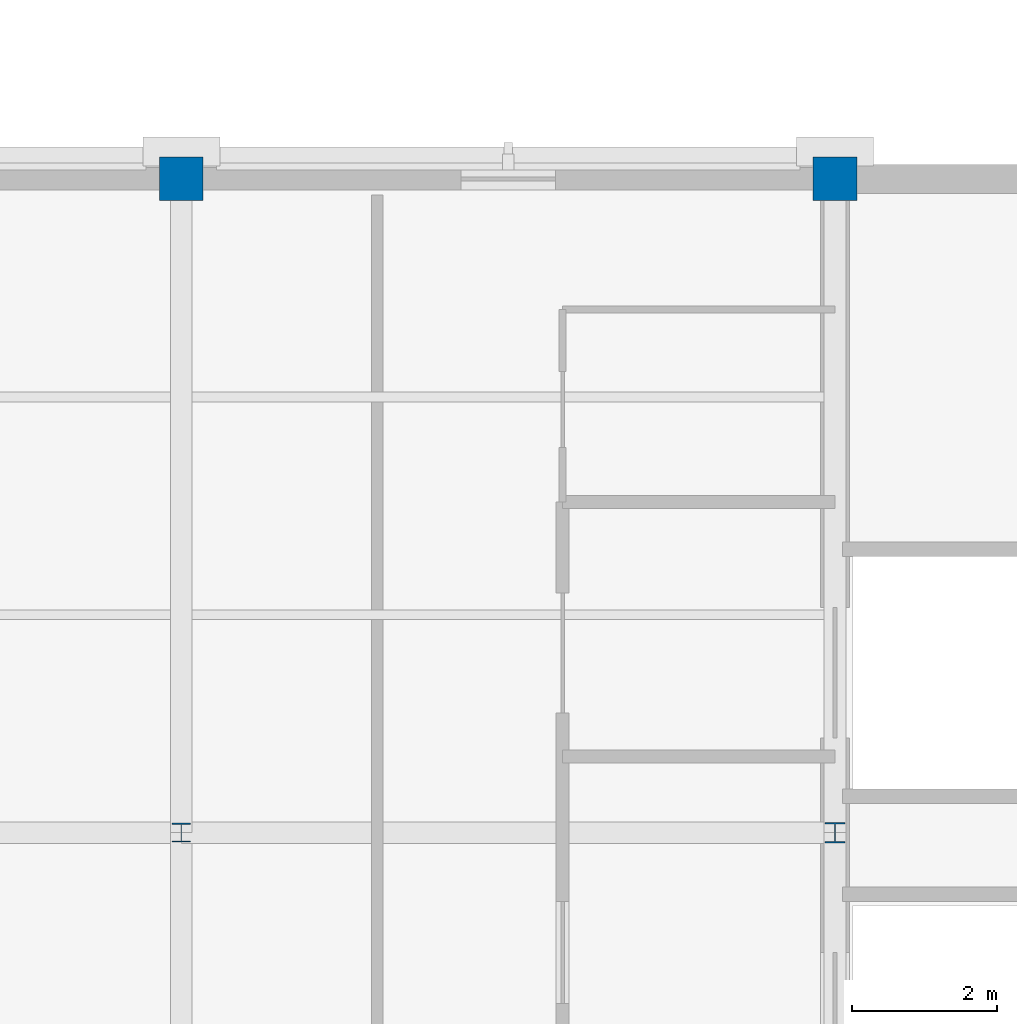
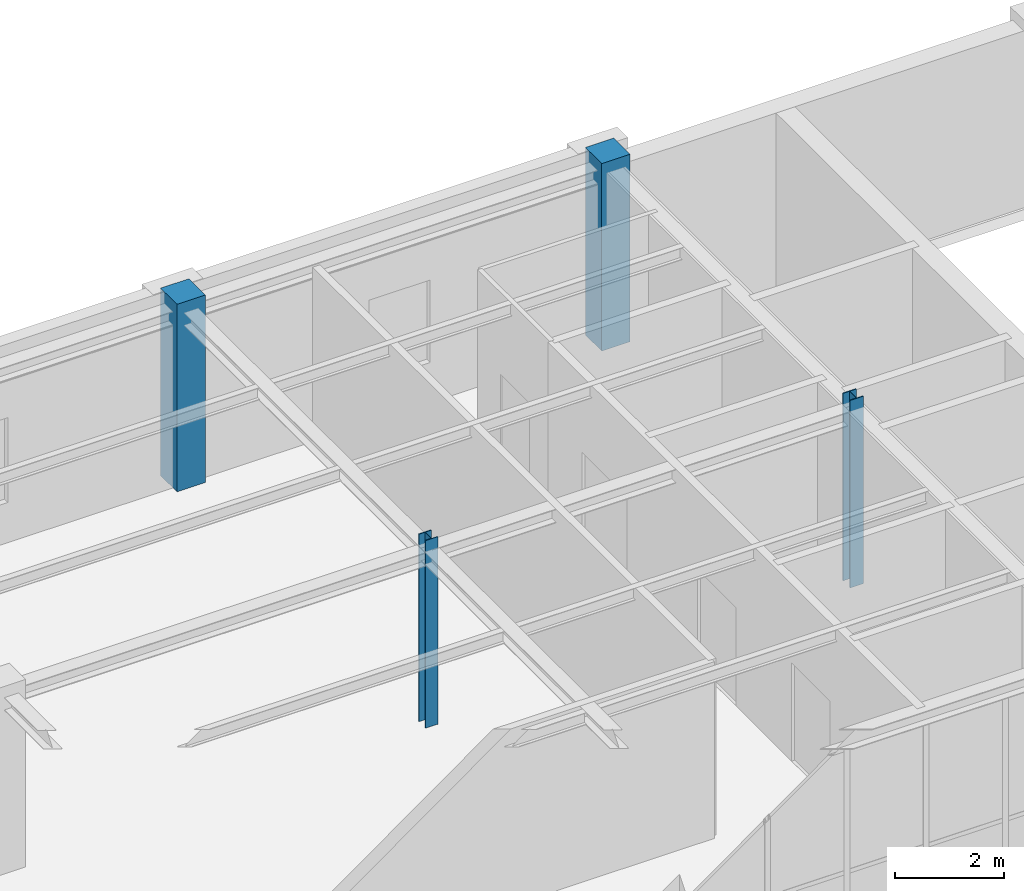
# One storey, part 11 of 130: 4 columns.
"""IFC4 building model written with IfcOpenShell, lengths in metres."""

from ifc_helpers import new_model, si_unit, direction, frame, origin, origin_2d, place, context, subcontext, project, spatial, rectangle, i_section, extrude, material, material_profile, profile_set, type_object, element, save


model = new_model("IFC4")

# Units and contexts
model_context = context("Model", 3, precision=1e-05, world=origin(), true_north=direction((0.0, 1.0)))
body_context = subcontext(model_context, "Body", "Model", "MODEL_VIEW")
ifc_project = project(units=[si_unit("LENGTHUNIT", "METRE"), si_unit("AREAUNIT", "SQUARE_METRE"), si_unit("VOLUMEUNIT", "CUBIC_METRE"), si_unit("PLANEANGLEUNIT", "RADIAN"), si_unit("MASSUNIT", "GRAM", prefix="KILO")], contexts=[model_context])

# Site, building, storey
site_placement = place(None, origin())
site = spatial("IfcSite", under=ifc_project, at=site_placement, CompositionType="ELEMENT")
building_placement = place(site_placement, origin())
building = spatial("IfcBuilding", under=site, at=building_placement, Name="Lykobir Media Centre", CompositionType="ELEMENT")
storey_placement = place(building_placement, frame((0.0, 0.0, 19.199951171875)))
storey = spatial("IfcBuildingStorey", under=building, at=storey_placement, Name="L04", CompositionType="ELEMENT", Elevation=19.199951171875)

# Columns
ifc_material_1 = material(Name="Concrete C40/50", Category="concrete")
ifc_material_profile_1 = material_profile(ifc_material_1, rectangle(XDim=0.60009765625, YDim=0.60009765625, at=origin_2d()), Name="RC 600x600")
ifc_profile_set_1 = profile_set([ifc_material_profile_1], Name="Concrete C40/50")
column_type_1 = type_object("IfcColumnType", Name="RC-C600", PredefinedType="COLUMN", material=ifc_profile_set_1)
for number, where, z_axis, x_axis, name in (
    (1, (117.0, 90.0, 0.0), (0.0, 0.0, 1.0), (1.0, 0.0, 0.0), "Column COL-L04-1170-0900"),
    (2, (126.0, 90.0, 0.0), (0.0, 0.0, 1.0), (1.0, 0.0, 0.0), "Column COL-L04-1260-0900"),
):
    element("IfcColumn", number, at=place(storey_placement, frame(where, z_axis=z_axis, x_axis=x_axis)), inside=storey, type_object=column_type_1, Name=name, PredefinedType="COLUMN", context=body_context, shape_type="SweptSolid", body=[
        extrude(rectangle(XDim=0.60009765625, YDim=0.60009765625, at=origin_2d()), origin(), (0.0, 0.0, 1.0), 4.199951171875),
    ])
ifc_material_2 = material(Name="Steel S355", Category="steel")
ifc_material_profile_2 = material_profile(ifc_material_2, i_section(OverallWidth=0.260009765625, OverallDepth=0.260009765625, WebThickness=0.010009765625, FlangeThickness=0.017578125, at=origin_2d()), Name="HEB 260")
ifc_profile_set_2 = profile_set([ifc_material_profile_2], Name="Steel S355")
column_type_2 = type_object("IfcColumnType", Name="SC-HEB260", PredefinedType="COLUMN", material=ifc_profile_set_2)
column_1_placement = place(storey_placement, frame((117.0, 81.0, 0.0), z_axis=(0.0, 0.0, 1.0), x_axis=(1.0, 0.0, 0.0)))
element("IfcColumn", 3, at=column_1_placement, inside=storey, type_object=column_type_2, Name="Column COL-L04-1170-0810", PredefinedType="COLUMN", context=body_context, shape_type="SweptSolid", body=[
    extrude(i_section(OverallWidth=0.260009765625, OverallDepth=0.260009765625, WebThickness=0.010009765625, FlangeThickness=0.017578125, at=origin_2d()), origin(), (0.0, 0.0, 1.0), 4.199951171875),
])
ifc_material_profile_3 = material_profile(ifc_material_2, i_section(OverallWidth=0.280029296875, OverallDepth=0.280029296875, WebThickness=0.010498046875, FlangeThickness=0.01806640625, at=origin_2d()), Name="HEB 280")
ifc_profile_set_3 = profile_set([ifc_material_profile_3], Name="Steel S355")
column_type_3 = type_object("IfcColumnType", Name="SC-HEB280", PredefinedType="COLUMN", material=ifc_profile_set_3)
column_2_placement = place(storey_placement, frame((126.0, 81.0, 0.0), z_axis=(0.0, 0.0, 1.0), x_axis=(1.0, 0.0, 0.0)))
element("IfcColumn", 4, at=column_2_placement, inside=storey, type_object=column_type_3, Name="Column COL-L04-1260-0810", PredefinedType="COLUMN", context=body_context, shape_type="SweptSolid", body=[
    extrude(i_section(OverallWidth=0.280029296875, OverallDepth=0.280029296875, WebThickness=0.010498046875, FlangeThickness=0.01806640625, at=origin_2d()), origin(), (0.0, 0.0, 1.0), 4.199951171875),
])

save(model, "model.ifc")
